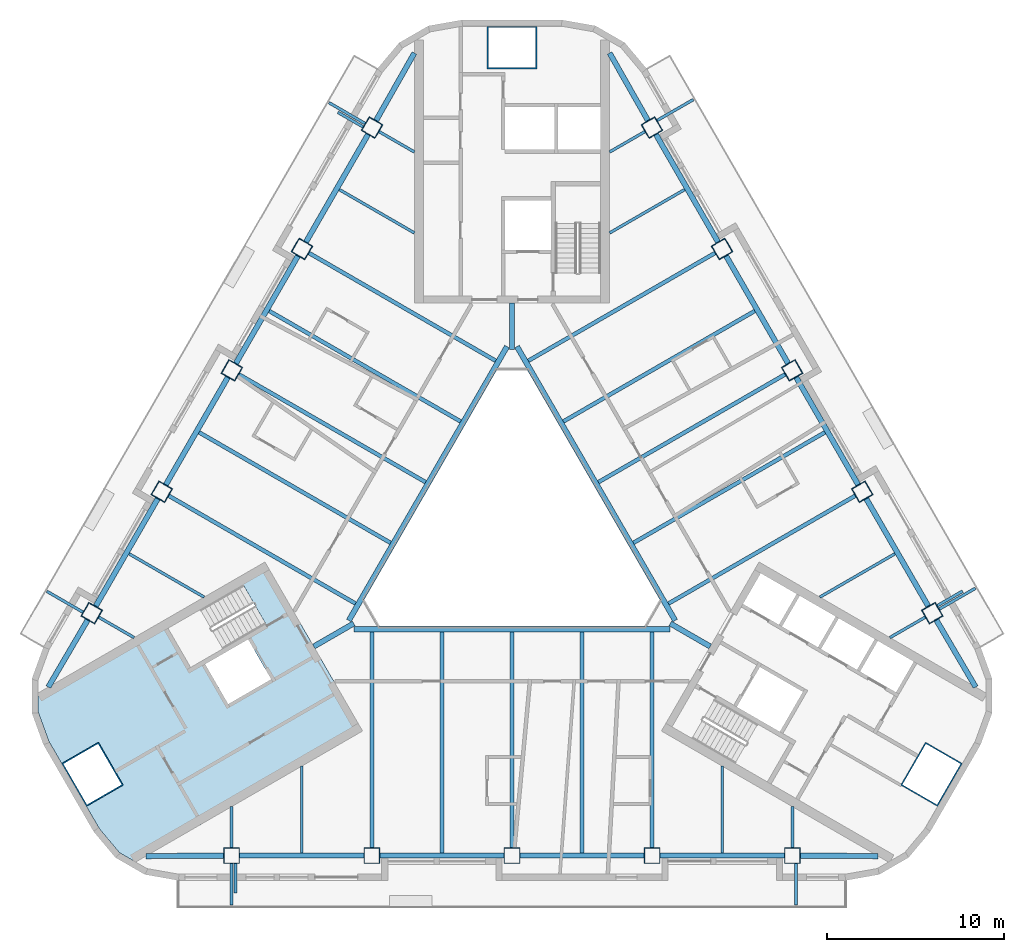
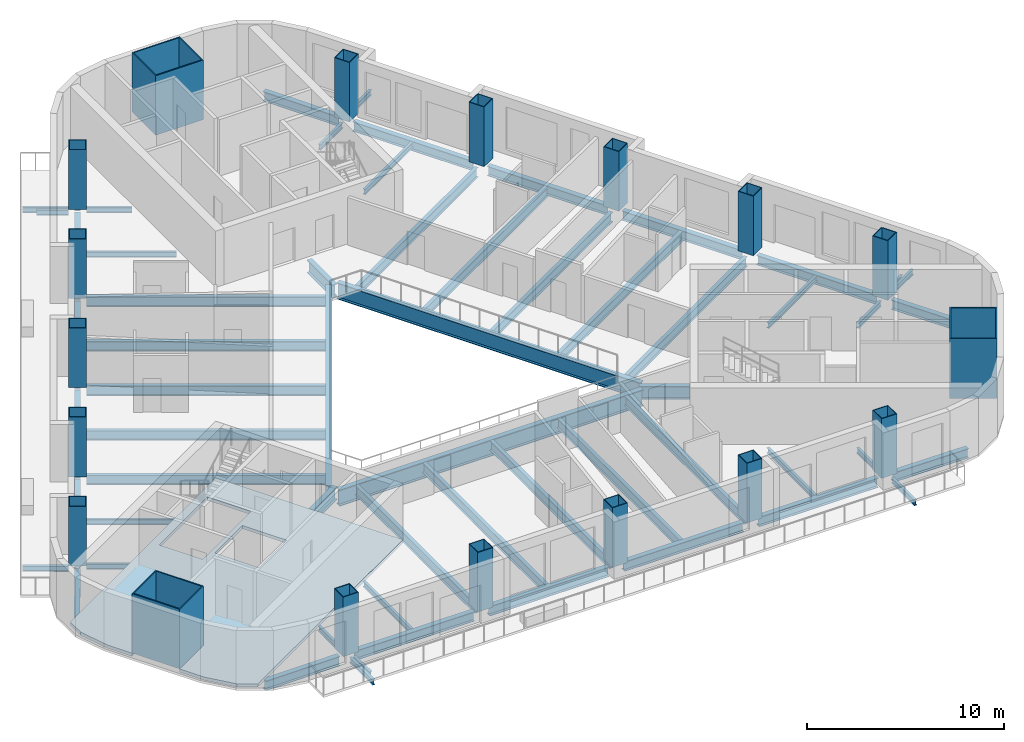
# One storey, part 1 of 13: 60 beams, 18 columns, 1 slab.
"""IFC4 building model written with IfcOpenShell, lengths in metres."""

from ifc_helpers import new_model, si_unit, direction, frame, origin, origin_2d, place, context, subcontext, project, spatial, polyline, rectangle, hollow_rectangle, i_section, outline, extrude, material, layer, layer_set, material_profile, profile_set, type_object, element, save


model = new_model("IFC4")

# Units and contexts
model_context = context("Model", 3, precision=1e-05, world=origin(), true_north=direction((0.0, 1.0)))
body_context = subcontext(model_context, "Body", "Model", "MODEL_VIEW")
ifc_project = project(units=[si_unit("LENGTHUNIT", "METRE"), si_unit("AREAUNIT", "SQUARE_METRE"), si_unit("VOLUMEUNIT", "CUBIC_METRE"), si_unit("PLANEANGLEUNIT", "RADIAN"), si_unit("MASSUNIT", "GRAM", prefix="KILO")], contexts=[model_context])

# Site, building, storey
site_placement = place(None, origin())
site = spatial("IfcSite", under=ifc_project, at=site_placement, CompositionType="ELEMENT")
building_placement = place(site_placement, origin())
building = spatial("IfcBuilding", under=site, at=building_placement, Name="Apuvela Tower Hotel", CompositionType="ELEMENT")
storey_placement = place(building_placement, frame((0.0, 0.0, 124.199951171875)))
storey = spatial("IfcBuildingStorey", under=building, at=storey_placement, Name="L29", CompositionType="ELEMENT", Elevation=124.199951171875)

# Columns
ifc_material_1 = material(Name="Steel S460", Category="steel")
ifc_material_profile_1 = material_profile(ifc_material_1, hollow_rectangle(XDim=2.800048828125, YDim=2.39990234375, WallThickness=0.070068359375, at=origin_2d()), Name="BOX 2800x2400x70")
ifc_material_2 = material(Name="Concrete C80/95", Category="concrete")
ifc_material_profile_2 = material_profile(ifc_material_2, rectangle(XDim=2.659912109375, YDim=2.260009765625, at=origin_2d()), Name="Concrete C80/95 infill")
ifc_profile_set_1 = profile_set([ifc_material_profile_1, ifc_material_profile_2], Name="Steel S460")
column_type_1 = type_object("IfcColumnType", Name="STR-MC mega column BOX 2800x2400x70", PredefinedType="COLUMN", material=ifc_profile_set_1)
for number, where, z_axis, x_axis, name in (
    (1, (0.0, 27.300048828125, 0.0), (0.0, 0.0, 1.0), (1.0, 0.0, 0.0), "Mega column MC2 N"),
    (2, (-23.642578125, -13.64990234375, 0.0), (0.0, 0.0, 1.0), (-0.5, 0.866025403784, 0.0), "Mega column MC2 SW"),
    (3, (23.642578125, -13.64990234375, 0.0), (0.0, 0.0, 1.0), (0.5, 0.866025403784, 0.0), "Mega column MC2 SE"),
):
    element("IfcColumn", number, at=place(storey_placement, frame(where, z_axis=z_axis, x_axis=x_axis)), inside=storey, type_object=column_type_1, Name=name, PredefinedType="COLUMN", context=body_context, shape_type="SweptSolid", body=[
        extrude(hollow_rectangle(XDim=2.800048828125, YDim=2.39990234375, WallThickness=0.070068359375, at=origin_2d()), origin(), (0.0, 0.0, 1.0), 3.699951171875),
    ])
ifc_material_profile_3 = material_profile(ifc_material_1, hollow_rectangle(XDim=0.89990234375, YDim=0.89990234375, WallThickness=0.0400390625, at=origin_2d()), Name="BOX 900x900x40")
ifc_material_profile_4 = material_profile(ifc_material_2, rectangle(XDim=0.820068359375, YDim=0.820068359375, at=origin_2d()), Name="Concrete C80/95 infill")
ifc_profile_set_2 = profile_set([ifc_material_profile_3, ifc_material_profile_4], Name="Steel S460")
column_type_2 = type_object("IfcColumnType", Name="STR-PC perimeter column BOX 900x900x40", PredefinedType="COLUMN", material=ifc_profile_set_2)
for number, where, z_axis, x_axis, name in (
    (4, (-15.800048828125, -18.22998046875, 0.0), (0.0, 0.0, 1.0), (-1.0, 0.0, 0.0), "Perimeter column C3 S1"),
    (5, (-7.89990234375, -18.22998046875, 0.0), (0.0, 0.0, 1.0), (-1.0, 0.0, 0.0), "Perimeter column C3 S2"),
    (6, (0.0, -18.22998046875, 0.0), (0.0, 0.0, 1.0), (-1.0, 0.0, 0.0), "Perimeter column C3 S3"),
    (7, (7.89990234375, -18.22998046875, 0.0), (0.0, 0.0, 1.0), (-1.0, 0.0, 0.0), "Perimeter column C3 S4"),
    (8, (15.800048828125, -18.22998046875, 0.0), (0.0, 0.0, 1.0), (-1.0, 0.0, 0.0), "Perimeter column C3 S5"),
    (9, (23.6875, -4.568115234375, 0.0), (0.0, 0.0, 1.0), (-0.5, 0.866025403784, 0.0), "Perimeter column C3 NE1"),
    (10, (19.737548828125, 2.2734375, 0.0), (0.0, 0.0, 1.0), (-0.5, 0.866025403784, 0.0), "Perimeter column C3 NE2"),
    (11, (15.78759765625, 9.114990234375, 0.0), (0.0, 0.0, 1.0), (-0.5, 0.866025403784, 0.0), "Perimeter column C3 NE3"),
    (12, (11.837646484375, 15.95654296875, 0.0), (0.0, 0.0, 1.0), (-0.5, 0.866025403784, 0.0), "Perimeter column C3 NE4"),
    (13, (7.8876953125, 22.798095703125, 0.0), (0.0, 0.0, 1.0), (-0.5, 0.866025403784, 0.0), "Perimeter column C3 NE5"),
    (14, (-7.8876953125, 22.798095703125, 0.0), (0.0, 0.0, 1.0), (0.5, 0.866025403784, 0.0), "Perimeter column C3 NW1"),
    (15, (-11.837646484375, 15.95654296875, 0.0), (0.0, 0.0, 1.0), (0.5, 0.866025403784, 0.0), "Perimeter column C3 NW2"),
    (16, (-15.78759765625, 9.114990234375, 0.0), (0.0, 0.0, 1.0), (0.5, 0.866025403784, 0.0), "Perimeter column C3 NW3"),
    (17, (-19.737548828125, 2.2734375, 0.0), (0.0, 0.0, 1.0), (0.5, 0.866025403784, 0.0), "Perimeter column C3 NW4"),
    (18, (-23.6875, -4.568115234375, 0.0), (0.0, 0.0, 1.0), (0.5, 0.866025403784, 0.0), "Perimeter column C3 NW5"),
):
    element("IfcColumn", number, at=place(storey_placement, frame(where, z_axis=z_axis, x_axis=x_axis)), inside=storey, type_object=column_type_2, Name=name, PredefinedType="COLUMN", context=body_context, shape_type="SweptSolid", body=[
        extrude(hollow_rectangle(XDim=0.89990234375, YDim=0.89990234375, WallThickness=0.0400390625, at=origin_2d()), origin(), (0.0, 0.0, 1.0), 3.699951171875),
    ])

# Beams
ifc_material_3 = material(Name="Steel S355", Category="steel")
ifc_material_profile_5 = material_profile(ifc_material_3, i_section(OverallWidth=0.159912109375, OverallDepth=0.330078125, WebThickness=0.007568359375, FlangeThickness=0.011474609375, at=origin_2d()), Name="IPE 330")
ifc_profile_set_3 = profile_set([ifc_material_profile_5], Name="Steel S355")
beam_type_1 = type_object("IfcBeamType", Name="ENV-BALCONY-BEAM-IPE330", PredefinedType="BEAM", material=ifc_profile_set_3)
beam_1_placement = place(storey_placement, frame((-15.800048828125, -18.679931640625, -0.31494140625), z_axis=(0.0, -1.0, 0.0), x_axis=(1.0, 0.0, 0.0)))
element("IfcBeam", 19, at=beam_1_placement, inside=storey, type_object=beam_type_1, Name="Balcony cantilever beam S1 L29", PredefinedType="BEAM", context=body_context, shape_type="SweptSolid", body=[
    extrude(i_section(OverallWidth=0.159912109375, OverallDepth=0.330078125, WebThickness=0.007568359375, FlangeThickness=0.011474609375, at=origin_2d()), origin(), (0.0, 0.0, 1.0), 2.35009765625),
])
beam_2_placement = place(storey_placement, frame((-15.580078125, -18.679931640625, -0.31494140625), z_axis=(0.0, -1.0, 0.0), x_axis=(1.0, 0.0, 0.0)))
element("IfcBeam", 20, at=beam_2_placement, inside=storey, type_object=beam_type_1, Name="Balcony cantilever beam S2 L29", PredefinedType="BEAM", context=body_context, shape_type="SweptSolid", body=[
    extrude(i_section(OverallWidth=0.159912109375, OverallDepth=0.330078125, WebThickness=0.007568359375, FlangeThickness=0.011474609375, at=origin_2d()), origin(), (0.0, 0.0, 1.0), 1.650146484375),
])
for number, where, z_axis, x_axis, name in (
    (21, (16.0, -18.679931640625, -0.31494140625), (0.0, -1.0, 0.0), (1.0, 0.0, 0.0), "Balcony cantilever beam S3 L29"),
    (22, (24.077392578125, -4.34326171875, -0.31494140625), (0.866016039709, 0.500016218704, 0.0), (-0.500016218704, 0.866016039709, 0.0), "Balcony cantilever beam NE1 L29"),
):
    element("IfcBeam", number, at=place(storey_placement, frame(where, z_axis=z_axis, x_axis=x_axis)), inside=storey, type_object=beam_type_1, Name=name, PredefinedType="BEAM", context=body_context, shape_type="SweptSolid", body=[
        extrude(i_section(OverallWidth=0.159912109375, OverallDepth=0.330078125, WebThickness=0.007568359375, FlangeThickness=0.011474609375, at=origin_2d()), origin(), (0.0, 0.0, 1.0), 2.35009765625),
    ])
beam_3_placement = place(storey_placement, frame((23.96728515625, -4.152587890625, -0.31494140625), z_axis=(0.866040211805, 0.499974350878, 0.0), x_axis=(-0.499974350878, 0.866040211805, 0.0)))
element("IfcBeam", 23, at=beam_3_placement, inside=storey, type_object=beam_type_1, Name="Balcony cantilever beam NE2 L29", PredefinedType="BEAM", context=body_context, shape_type="SweptSolid", body=[
    extrude(i_section(OverallWidth=0.159912109375, OverallDepth=0.330078125, WebThickness=0.007568359375, FlangeThickness=0.011474609375, at=origin_2d()), origin(), (0.0, 0.0, 1.0), 1.64990234375),
])
beam_4_placement = place(storey_placement, frame((8.177490234375, 23.1962890625, -0.31494140625), z_axis=(0.865990062348, 0.500061208168, 0.0), x_axis=(-0.500061208168, 0.865990062348, 0.0)))
element("IfcBeam", 24, at=beam_4_placement, inside=storey, type_object=beam_type_1, Name="Balcony cantilever beam NE3 L29", PredefinedType="BEAM", context=body_context, shape_type="SweptSolid", body=[
    extrude(i_section(OverallWidth=0.159912109375, OverallDepth=0.330078125, WebThickness=0.007568359375, FlangeThickness=0.011474609375, at=origin_2d()), origin(), (0.0, 0.0, 1.0), 2.349853515625),
])
beam_5_placement = place(storey_placement, frame((-8.27734375, 23.023193359375, -0.31494140625), z_axis=(-0.866016039709, 0.500016218704, 0.0), x_axis=(-0.500016218704, -0.866016039709, 0.0)))
element("IfcBeam", 25, at=beam_5_placement, inside=storey, type_object=beam_type_1, Name="Balcony cantilever beam NW1 L29", PredefinedType="BEAM", context=body_context, shape_type="SweptSolid", body=[
    extrude(i_section(OverallWidth=0.159912109375, OverallDepth=0.330078125, WebThickness=0.007568359375, FlangeThickness=0.011474609375, at=origin_2d()), origin(), (0.0, 0.0, 1.0), 2.35009765625),
])
beam_6_placement = place(storey_placement, frame((-8.387451171875, 22.832763671875, -0.31494140625), z_axis=(-0.866040211805, 0.499974350878, 0.0), x_axis=(-0.499974350878, -0.866040211805, 0.0)))
element("IfcBeam", 26, at=beam_6_placement, inside=storey, type_object=beam_type_1, Name="Balcony cantilever beam NW2 L29", PredefinedType="BEAM", context=body_context, shape_type="SweptSolid", body=[
    extrude(i_section(OverallWidth=0.159912109375, OverallDepth=0.330078125, WebThickness=0.007568359375, FlangeThickness=0.011474609375, at=origin_2d()), origin(), (0.0, 0.0, 1.0), 1.64990234375),
])
beam_7_placement = place(storey_placement, frame((-24.177490234375, -4.516357421875, -0.31494140625), z_axis=(-0.865990062348, 0.500061208168, 0.0), x_axis=(-0.500061208168, -0.865990062348, 0.0)))
element("IfcBeam", 27, at=beam_7_placement, inside=storey, type_object=beam_type_1, Name="Balcony cantilever beam NW3 L29", PredefinedType="BEAM", context=body_context, shape_type="SweptSolid", body=[
    extrude(i_section(OverallWidth=0.159912109375, OverallDepth=0.330078125, WebThickness=0.007568359375, FlangeThickness=0.011474609375, at=origin_2d()), origin(), (0.0, 0.0, 1.0), 2.349853515625),
])
ifc_material_profile_6 = material_profile(ifc_material_3, i_section(OverallWidth=0.159912109375, OverallDepth=0.330078125, WebThickness=0.007568359375, FlangeThickness=0.011474609375, at=origin_2d()), Name="IPE 330")
ifc_profile_set_4 = profile_set([ifc_material_profile_6], Name="Steel S355")
beam_type_2 = type_object("IfcBeamType", Name="STR-B floor beam IPE 330", PredefinedType="BEAM", material=ifc_profile_set_4)
beam_8_placement = place(storey_placement, frame((23.2978515625, -4.793212890625, -0.31494140625), z_axis=(-0.866000531106, -0.500043078269, 0.0), x_axis=(0.500043078269, -0.866000531106, 0.0)))
element("IfcBeam", 28, at=beam_8_placement, inside=storey, type_object=beam_type_2, Name="Floor beam B1 NE1", PredefinedType="BEAM", context=body_context, shape_type="SweptSolid", body=[
    extrude(i_section(OverallWidth=0.159912109375, OverallDepth=0.330078125, WebThickness=0.007568359375, FlangeThickness=0.011474609375, at=origin_2d()), origin(), (0.0, 0.0, 1.0), 2.306884765625),
])
for number, where, z_axis, x_axis, name in (
    (29, (21.582763671875, -1.222412109375, -0.31494140625), (-0.866015056278, -0.500017921979, 0.0), (0.500017921979, -0.866015056278, 0.0), "Floor beam B1 NE2"),
    (30, (9.732666015625, 19.302490234375, -0.31494140625), (-0.866015056278, -0.500017921979, 0.0), (0.500017921979, -0.866015056278, 0.0), "Floor beam B1 NE8"),
):
    element("IfcBeam", number, at=place(storey_placement, frame(where, z_axis=z_axis, x_axis=x_axis)), inside=storey, type_object=beam_type_2, Name=name, PredefinedType="BEAM", context=body_context, shape_type="SweptSolid", body=[
        extrude(i_section(OverallWidth=0.159912109375, OverallDepth=0.330078125, WebThickness=0.007568359375, FlangeThickness=0.011474609375, at=origin_2d()), origin(), (0.0, 0.0, 1.0), 4.887451171875),
    ])
for number, where, z_axis, x_axis, name in (
    (31, (7.497802734375, 22.5732421875, -0.31494140625), (-0.866000531106, -0.500043078269, 0.0), (0.500043078269, -0.866000531106, 0.0), "Floor beam B1 NE9"),
    (32, (-7.497802734375, 22.5732421875, -0.31494140625), (0.866000531106, -0.500043078269, 0.0), (0.500043078269, 0.866000531106, 0.0), "Floor beam B1 NW1"),
):
    element("IfcBeam", number, at=place(storey_placement, frame(where, z_axis=z_axis, x_axis=x_axis)), inside=storey, type_object=beam_type_2, Name=name, PredefinedType="BEAM", context=body_context, shape_type="SweptSolid", body=[
        extrude(i_section(OverallWidth=0.159912109375, OverallDepth=0.330078125, WebThickness=0.007568359375, FlangeThickness=0.011474609375, at=origin_2d()), origin(), (0.0, 0.0, 1.0), 2.306884765625),
    ])
for number, where, z_axis, x_axis, name in (
    (33, (-9.732666015625, 19.302490234375, -0.31494140625), (0.866015056278, -0.500017921979, 0.0), (0.500017921979, 0.866015056278, 0.0), "Floor beam B1 NW2"),
    (34, (-21.582763671875, -1.222412109375, -0.31494140625), (0.866015056278, -0.500017921979, 0.0), (0.500017921979, 0.866015056278, 0.0), "Floor beam B1 NW8"),
):
    element("IfcBeam", number, at=place(storey_placement, frame(where, z_axis=z_axis, x_axis=x_axis)), inside=storey, type_object=beam_type_2, Name=name, PredefinedType="BEAM", context=body_context, shape_type="SweptSolid", body=[
        extrude(i_section(OverallWidth=0.159912109375, OverallDepth=0.330078125, WebThickness=0.007568359375, FlangeThickness=0.011474609375, at=origin_2d()), origin(), (0.0, 0.0, 1.0), 4.887451171875),
    ])
beam_9_placement = place(storey_placement, frame((-23.2978515625, -4.793212890625, -0.31494140625), z_axis=(0.866000531106, -0.500043078269, 0.0), x_axis=(0.500043078269, 0.866000531106, 0.0)))
element("IfcBeam", 35, at=beam_9_placement, inside=storey, type_object=beam_type_2, Name="Floor beam B1 NW9", PredefinedType="BEAM", context=body_context, shape_type="SweptSolid", body=[
    extrude(i_section(OverallWidth=0.159912109375, OverallDepth=0.330078125, WebThickness=0.007568359375, FlangeThickness=0.011474609375, at=origin_2d()), origin(), (0.0, 0.0, 1.0), 2.306884765625),
])
beam_10_placement = place(storey_placement, frame((-15.800048828125, -17.780029296875, -0.31494140625), z_axis=(0.0, 1.0, 0.0), x_axis=(-1.0, 0.0, 0.0)))
element("IfcBeam", 36, at=beam_10_placement, inside=storey, type_object=beam_type_2, Name="Floor beam B1 S1", PredefinedType="BEAM", context=body_context, shape_type="SweptSolid", body=[
    extrude(i_section(OverallWidth=0.159912109375, OverallDepth=0.330078125, WebThickness=0.007568359375, FlangeThickness=0.011474609375, at=origin_2d()), origin(), (0.0, 0.0, 1.0), 2.30712890625),
])
for number, where, z_axis, x_axis, name in (
    (37, (-11.85009765625, -18.080078125, -0.31494140625), (0.0, 1.0, 0.0), (-1.0, 0.0, 0.0), "Floor beam B1 S2"),
    (38, (11.85009765625, -18.080078125, -0.31494140625), (0.0, 1.0, 0.0), (-1.0, 0.0, 0.0), "Floor beam B1 S8"),
):
    element("IfcBeam", number, at=place(storey_placement, frame(where, z_axis=z_axis, x_axis=x_axis)), inside=storey, type_object=beam_type_2, Name=name, PredefinedType="BEAM", context=body_context, shape_type="SweptSolid", body=[
        extrude(i_section(OverallWidth=0.159912109375, OverallDepth=0.330078125, WebThickness=0.007568359375, FlangeThickness=0.011474609375, at=origin_2d()), origin(), (0.0, 0.0, 1.0), 4.8876953125),
    ])
beam_11_placement = place(storey_placement, frame((15.800048828125, -17.780029296875, -0.31494140625), z_axis=(0.0, 1.0, 0.0), x_axis=(-1.0, 0.0, 0.0)))
element("IfcBeam", 39, at=beam_11_placement, inside=storey, type_object=beam_type_2, Name="Floor beam B1 S9", PredefinedType="BEAM", context=body_context, shape_type="SweptSolid", body=[
    extrude(i_section(OverallWidth=0.159912109375, OverallDepth=0.330078125, WebThickness=0.007568359375, FlangeThickness=0.011474609375, at=origin_2d()), origin(), (0.0, 0.0, 1.0), 2.30712890625),
])
ifc_material_profile_7 = material_profile(ifc_material_3, i_section(OverallWidth=0.219970703125, OverallDepth=0.60009765625, WebThickness=0.011962890625, FlangeThickness=0.01904296875, at=origin_2d()), Name="IPE 600")
ifc_profile_set_5 = profile_set([ifc_material_profile_7], Name="Steel S355")
beam_type_3 = type_object("IfcBeamType", Name="STR-B floor beam IPE 600", PredefinedType="BEAM", material=ifc_profile_set_5)
beam_12_placement = place(storey_placement, frame((19.347900390625, 2.04833984375, -0.449951171875), z_axis=(-0.866028751965, -0.499994200737, 0.0), x_axis=(0.499994200737, -0.866028751965, 0.0)))
element("IfcBeam", 40, at=beam_12_placement, inside=storey, type_object=beam_type_3, Name="Floor beam B8 NE3", PredefinedType="BEAM", context=body_context, shape_type="SweptSolid", body=[
    extrude(i_section(OverallWidth=0.219970703125, OverallDepth=0.60009765625, WebThickness=0.011962890625, FlangeThickness=0.01904296875, at=origin_2d()), origin(), (0.0, 0.0, 1.0), 12.157958984375),
])
beam_13_placement = place(storey_placement, frame((17.6328125, 5.619140625, -0.449951171875), z_axis=(-0.866027636335, -0.499996133089, 0.0), x_axis=(0.499996133089, -0.866027636335, 0.0)))
element("IfcBeam", 41, at=beam_13_placement, inside=storey, type_object=beam_type_3, Name="Floor beam B8 NE4", PredefinedType="BEAM", context=body_context, shape_type="SweptSolid", body=[
    extrude(i_section(OverallWidth=0.219970703125, OverallDepth=0.60009765625, WebThickness=0.011962890625, FlangeThickness=0.01904296875, at=origin_2d()), origin(), (0.0, 0.0, 1.0), 12.4580078125),
])
beam_14_placement = place(storey_placement, frame((15.39794921875, 8.889892578125, -0.449951171875), z_axis=(-0.866028751965, -0.499994200737, 0.0), x_axis=(0.499994200737, -0.866028751965, 0.0)))
element("IfcBeam", 42, at=beam_14_placement, inside=storey, type_object=beam_type_3, Name="Floor beam B8 NE5", PredefinedType="BEAM", context=body_context, shape_type="SweptSolid", body=[
    extrude(i_section(OverallWidth=0.219970703125, OverallDepth=0.60009765625, WebThickness=0.011962890625, FlangeThickness=0.01904296875, at=origin_2d()), origin(), (0.0, 0.0, 1.0), 12.157958984375),
])
beam_15_placement = place(storey_placement, frame((13.6826171875, 12.460693359375, -0.449951171875), z_axis=(-0.866022737053, -0.500004618886, 0.0), x_axis=(0.500004618886, -0.866022737053, 0.0)))
element("IfcBeam", 43, at=beam_15_placement, inside=storey, type_object=beam_type_3, Name="Floor beam B8 NE6", PredefinedType="BEAM", context=body_context, shape_type="SweptSolid", body=[
    extrude(i_section(OverallWidth=0.219970703125, OverallDepth=0.60009765625, WebThickness=0.011962890625, FlangeThickness=0.01904296875, at=origin_2d()), origin(), (0.0, 0.0, 1.0), 12.4580078125),
])
for number, where, z_axis, x_axis, name in (
    (44, (11.447998046875, 15.731689453125, -0.449951171875), (-0.866025076934, -0.500000566121, 0.0), (0.500000566121, -0.866025076934, 0.0), "Floor beam B8 NE7"),
    (45, (-11.447998046875, 15.731689453125, -0.449951171875), (0.866025076934, -0.500000566121, 0.0), (0.500000566121, 0.866025076934, 0.0), "Floor beam B8 NW3"),
):
    element("IfcBeam", number, at=place(storey_placement, frame(where, z_axis=z_axis, x_axis=x_axis)), inside=storey, type_object=beam_type_3, Name=name, PredefinedType="BEAM", context=body_context, shape_type="SweptSolid", body=[
        extrude(i_section(OverallWidth=0.219970703125, OverallDepth=0.60009765625, WebThickness=0.011962890625, FlangeThickness=0.01904296875, at=origin_2d()), origin(), (0.0, 0.0, 1.0), 12.158203125),
    ])
beam_16_placement = place(storey_placement, frame((-13.6826171875, 12.460693359375, -0.449951171875), z_axis=(0.866022737053, -0.500004618886, 0.0), x_axis=(0.500004618886, 0.866022737053, 0.0)))
element("IfcBeam", 46, at=beam_16_placement, inside=storey, type_object=beam_type_3, Name="Floor beam B8 NW4", PredefinedType="BEAM", context=body_context, shape_type="SweptSolid", body=[
    extrude(i_section(OverallWidth=0.219970703125, OverallDepth=0.60009765625, WebThickness=0.011962890625, FlangeThickness=0.01904296875, at=origin_2d()), origin(), (0.0, 0.0, 1.0), 12.4580078125),
])
beam_17_placement = place(storey_placement, frame((-15.39794921875, 8.889892578125, -0.449951171875), z_axis=(0.866028751965, -0.499994200737, 0.0), x_axis=(0.499994200737, 0.866028751965, 0.0)))
element("IfcBeam", 47, at=beam_17_placement, inside=storey, type_object=beam_type_3, Name="Floor beam B8 NW5", PredefinedType="BEAM", context=body_context, shape_type="SweptSolid", body=[
    extrude(i_section(OverallWidth=0.219970703125, OverallDepth=0.60009765625, WebThickness=0.011962890625, FlangeThickness=0.01904296875, at=origin_2d()), origin(), (0.0, 0.0, 1.0), 12.157958984375),
])
beam_18_placement = place(storey_placement, frame((-17.6328125, 5.619140625, -0.449951171875), z_axis=(0.866027636335, -0.499996133089, 0.0), x_axis=(0.499996133089, 0.866027636335, 0.0)))
element("IfcBeam", 48, at=beam_18_placement, inside=storey, type_object=beam_type_3, Name="Floor beam B8 NW6", PredefinedType="BEAM", context=body_context, shape_type="SweptSolid", body=[
    extrude(i_section(OverallWidth=0.219970703125, OverallDepth=0.60009765625, WebThickness=0.011962890625, FlangeThickness=0.01904296875, at=origin_2d()), origin(), (0.0, 0.0, 1.0), 12.4580078125),
])
for number, where, z_axis, x_axis, name in (
    (49, (-19.347900390625, 2.04833984375, -0.449951171875), (0.866028751965, -0.499994200737, 0.0), (0.499994200737, 0.866028751965, 0.0), "Floor beam B8 NW7"),
    (50, (-7.89990234375, -17.780029296875, -0.449951171875), (0.0, 1.0, 0.0), (-1.0, 0.0, 0.0), "Floor beam B8 S3"),
):
    element("IfcBeam", number, at=place(storey_placement, frame(where, z_axis=z_axis, x_axis=x_axis)), inside=storey, type_object=beam_type_3, Name=name, PredefinedType="BEAM", context=body_context, shape_type="SweptSolid", body=[
        extrude(i_section(OverallWidth=0.219970703125, OverallDepth=0.60009765625, WebThickness=0.011962890625, FlangeThickness=0.01904296875, at=origin_2d()), origin(), (0.0, 0.0, 1.0), 12.157958984375),
    ])
beam_19_placement = place(storey_placement, frame((-3.949951171875, -18.080078125, -0.449951171875), z_axis=(0.0, 1.0, 0.0), x_axis=(-1.0, 0.0, 0.0)))
element("IfcBeam", 51, at=beam_19_placement, inside=storey, type_object=beam_type_3, Name="Floor beam B8 S4", PredefinedType="BEAM", context=body_context, shape_type="SweptSolid", body=[
    extrude(i_section(OverallWidth=0.219970703125, OverallDepth=0.60009765625, WebThickness=0.011962890625, FlangeThickness=0.01904296875, at=origin_2d()), origin(), (0.0, 0.0, 1.0), 12.4580078125),
])
beam_20_placement = place(storey_placement, frame((0.0, -17.780029296875, -0.449951171875), z_axis=(0.0, 1.0, 0.0), x_axis=(-1.0, 0.0, 0.0)))
element("IfcBeam", 52, at=beam_20_placement, inside=storey, type_object=beam_type_3, Name="Floor beam B8 S5", PredefinedType="BEAM", context=body_context, shape_type="SweptSolid", body=[
    extrude(i_section(OverallWidth=0.219970703125, OverallDepth=0.60009765625, WebThickness=0.011962890625, FlangeThickness=0.01904296875, at=origin_2d()), origin(), (0.0, 0.0, 1.0), 12.157958984375),
])
beam_21_placement = place(storey_placement, frame((3.949951171875, -18.080078125, -0.449951171875), z_axis=(0.0, 1.0, 0.0), x_axis=(-1.0, 0.0, 0.0)))
element("IfcBeam", 53, at=beam_21_placement, inside=storey, type_object=beam_type_3, Name="Floor beam B8 S6", PredefinedType="BEAM", context=body_context, shape_type="SweptSolid", body=[
    extrude(i_section(OverallWidth=0.219970703125, OverallDepth=0.60009765625, WebThickness=0.011962890625, FlangeThickness=0.01904296875, at=origin_2d()), origin(), (0.0, 0.0, 1.0), 12.4580078125),
])
beam_22_placement = place(storey_placement, frame((7.89990234375, -17.780029296875, -0.449951171875), z_axis=(0.0, 1.0, 0.0), x_axis=(-1.0, 0.0, 0.0)))
element("IfcBeam", 54, at=beam_22_placement, inside=storey, type_object=beam_type_3, Name="Floor beam B8 S7", PredefinedType="BEAM", context=body_context, shape_type="SweptSolid", body=[
    extrude(i_section(OverallWidth=0.219970703125, OverallDepth=0.60009765625, WebThickness=0.011962890625, FlangeThickness=0.01904296875, at=origin_2d()), origin(), (0.0, 0.0, 1.0), 12.157958984375),
])
ifc_material_profile_8 = material_profile(ifc_material_3, i_section(OverallWidth=0.302001953125, OverallDepth=1.008056640625, WebThickness=0.02099609375, FlangeThickness=0.0400390625, at=origin_2d()), Name="HE 1000 M")
ifc_profile_set_6 = profile_set([ifc_material_profile_8], Name="Steel S355")
beam_type_4 = type_object("IfcBeamType", Name="STR-G atrium ring girder HE 1000 M", PredefinedType="BEAM", material=ifc_profile_set_6)
for number, where, z_axis, x_axis, name in (
    (55, (-0.28076171875, 10.455810546875, -0.654052734375), (-0.500000611842, -0.866025050537, 0.0), (0.866025050537, -0.500000611842, 0.0), "Atrium ring girder G1 N-SW"),
    (56, (-8.91455078125, -5.470947265625, -0.654052734375), (1.0, 0.0, 0.0), (0.0, 1.0, 0.0), "Atrium ring girder G1 SW-SE"),
    (57, (9.1953125, -4.984619140625, -0.654052734375), (-0.500000611842, 0.866025050537, 0.0), (-0.866025050537, -0.500000611842, 0.0), "Atrium ring girder G1 SE-N"),
):
    element("IfcBeam", number, at=place(storey_placement, frame(where, z_axis=z_axis, x_axis=x_axis)), inside=storey, type_object=beam_type_4, Name=name, PredefinedType="BEAM", context=body_context, shape_type="SweptSolid", body=[
        extrude(i_section(OverallWidth=0.302001953125, OverallDepth=1.008056640625, WebThickness=0.02099609375, FlangeThickness=0.0400390625, at=origin_2d()), origin(), (0.0, 0.0, 1.0), 17.8291015625),
    ])
ifc_material_profile_9 = material_profile(ifc_material_3, i_section(OverallWidth=0.300048828125, OverallDepth=0.800048828125, WebThickness=0.017578125, FlangeThickness=0.032958984375, at=origin_2d()), Name="HE 800 B")
ifc_profile_set_7 = profile_set([ifc_material_profile_9], Name="Steel S355")
beam_type_5 = type_object("IfcBeamType", Name="STR-GT core tie beam HE 800 B", PredefinedType="BEAM", material=ifc_profile_set_7)
for number, where, z_axis, x_axis, name in (
    (58, (0.0, 12.89990234375, -0.550048828125), (0.0, -1.0, 0.0), (1.0, 0.0, 0.0), "Core tie beam GT1 N"),
    (59, (-11.171630859375, -6.449951171875, -0.550048828125), (0.865997922154, 0.500047596559, 0.0), (-0.500047596559, 0.865997922154, 0.0), "Core tie beam GT1 SW"),
    (60, (11.171630859375, -6.449951171875, -0.550048828125), (-0.865997922154, 0.500047596559, 0.0), (-0.500047596559, -0.865997922154, 0.0), "Core tie beam GT1 SE"),
):
    element("IfcBeam", number, at=place(storey_placement, frame(where, z_axis=z_axis, x_axis=x_axis)), inside=storey, type_object=beam_type_5, Name=name, PredefinedType="BEAM", context=body_context, shape_type="SweptSolid", body=[
        extrude(i_section(OverallWidth=0.300048828125, OverallDepth=0.800048828125, WebThickness=0.017578125, FlangeThickness=0.032958984375, at=origin_2d()), origin(), (0.0, 0.0, 1.0), 2.599853515625),
    ])
ifc_material_profile_10 = material_profile(ifc_material_3, i_section(OverallWidth=0.300048828125, OverallDepth=0.590087890625, WebThickness=0.012939453125, FlangeThickness=0.02490234375, at=origin_2d()), Name="HE 600 A")
ifc_profile_set_8 = profile_set([ifc_material_profile_10], Name="Steel S355")
beam_type_6 = type_object("IfcBeamType", Name="STR-SB spandrel beam HE 600 A", PredefinedType="SPANDREL", material=ifc_profile_set_8)
for number, where, z_axis, x_axis, name in (
    (61, (-15.35009765625, -18.22998046875, -0.445068359375), (1.0, 0.0, 0.0), (0.0, 1.0, 0.0), "Spandrel beam SB2 S1"),
    (62, (-7.449951171875, -18.22998046875, -0.445068359375), (1.0, 0.0, 0.0), (0.0, 1.0, 0.0), "Spandrel beam SB2 S2"),
    (63, (0.449951171875, -18.22998046875, -0.445068359375), (1.0, 0.0, 0.0), (0.0, 1.0, 0.0), "Spandrel beam SB2 S3"),
    (64, (8.35009765625, -18.22998046875, -0.445068359375), (1.0, 0.0, 0.0), (0.0, 1.0, 0.0), "Spandrel beam SB2 S4"),
    (65, (23.462646484375, -4.178466796875, -0.445068359375), (-0.499995173006, 0.866028190633, 0.0), (-0.866028190633, -0.499995173006, 0.0), "Spandrel beam SB2 NE1"),
    (66, (19.5126953125, 2.6630859375, -0.445068359375), (-0.499995173006, 0.866028190633, 0.0), (-0.866028190633, -0.499995173006, 0.0), "Spandrel beam SB2 NE2"),
    (67, (15.5625, 9.504638671875, -0.445068359375), (-0.499995173006, 0.866028190633, 0.0), (-0.866028190633, -0.499995173006, 0.0), "Spandrel beam SB2 NE3"),
    (68, (11.612548828125, 16.34619140625, -0.445068359375), (-0.499995173006, 0.866028190633, 0.0), (-0.866028190633, -0.499995173006, 0.0), "Spandrel beam SB2 NE4"),
    (69, (-8.112548828125, 22.408447265625, -0.445068359375), (-0.499995173006, -0.866028190633, 0.0), (0.866028190633, -0.499995173006, 0.0), "Spandrel beam SB2 NW1"),
    (70, (-12.0625, 15.56689453125, -0.445068359375), (-0.499995173006, -0.866028190633, 0.0), (0.866028190633, -0.499995173006, 0.0), "Spandrel beam SB2 NW2"),
    (71, (-16.0126953125, 8.725341796875, -0.445068359375), (-0.499995173006, -0.866028190633, 0.0), (0.866028190633, -0.499995173006, 0.0), "Spandrel beam SB2 NW3"),
    (72, (-19.962646484375, 1.8837890625, -0.445068359375), (-0.499995173006, -0.866028190633, 0.0), (0.866028190633, -0.499995173006, 0.0), "Spandrel beam SB2 NW4"),
):
    element("IfcBeam", number, at=place(storey_placement, frame(where, z_axis=z_axis, x_axis=x_axis)), inside=storey, type_object=beam_type_6, Name=name, PredefinedType="SPANDREL", context=body_context, shape_type="SweptSolid", body=[
        extrude(i_section(OverallWidth=0.300048828125, OverallDepth=0.590087890625, WebThickness=0.012939453125, FlangeThickness=0.02490234375, at=origin_2d()), origin(), (0.0, 0.0, 1.0), 7.0),
    ])
for number, where, z_axis, x_axis, name in (
    (73, (-16.25, -18.233154296875, -0.445068359375), (-0.999976528586, -0.006851443461, 0.0), (0.006851443461, -0.999976528586, 0.0), "Spandrel beam SB2 S1-SW"),
    (74, (16.25, -18.233154296875, -0.445068359375), (0.999976528586, -0.006851443461, 0.0), (0.006851443461, 0.999976528586, 0.0), "Spandrel beam SB2 S5-SE"),
    (75, (23.915283203125, -4.956298828125, -0.445068359375), (0.505951068275, -0.862562181244, 0.0), (0.862562181244, 0.505951068275, 0.0), "Spandrel beam SB2 NE1-SE"),
    (76, (7.665283203125, 23.189453125, -0.445068359375), (-0.494043860968, 0.869436980718, 0.0), (-0.869436980718, -0.494043860968, 0.0), "Spandrel beam SB2 NE5-N"),
    (77, (-7.665283203125, 23.189453125, -0.445068359375), (0.494043860968, 0.869436980718, 0.0), (-0.869436980718, 0.494043860968, 0.0), "Spandrel beam SB2 NW1-N"),
    (78, (-23.915283203125, -4.956298828125, -0.445068359375), (-0.505951068275, -0.862562181244, 0.0), (0.862562181244, -0.505951068275, 0.0), "Spandrel beam SB2 NW5-SW"),
):
    element("IfcBeam", number, at=place(storey_placement, frame(where, z_axis=z_axis, x_axis=x_axis)), inside=storey, type_object=beam_type_6, Name=name, PredefinedType="SPANDREL", context=body_context, shape_type="SweptSolid", body=[
        extrude(i_section(OverallWidth=0.300048828125, OverallDepth=0.590087890625, WebThickness=0.012939453125, FlangeThickness=0.02490234375, at=origin_2d()), origin(), (0.0, 0.0, 1.0), 4.3828125),
    ])

# Slab
ifc_material_4 = material(Name="Concrete C50/60", Category="concrete")
ifc_layer = layer(ifc_material_4, 0.199951171875)
ifc_layer_set = layer_set([ifc_layer], Name="COR-FLOOR-200")
slab_type = type_object("IfcSlabType", Name="COR-FLOOR-200", PredefinedType="FLOOR", material=ifc_layer_set)
slab_placement = place(storey_placement, frame((0.0, 0.0, -0.199951171875)))
element("IfcSlab", 79, at=slab_placement, inside=storey, type_object=slab_type, Name="Core floor SW", PredefinedType="FLOOR", context=body_context, shape_type="SweptSolid", body=[
    extrude(outline(polyline([(-26.711181640625, -9.07080078125), (-26.711181640625, -10.123291015625), (-26.109375, -11.77734375), (-25.381591796875, -13.03759765625), (-23.30322265625, -11.837646484375), (-21.9033203125, -14.262451171875), (-23.981689453125, -15.46240234375), (-23.254150390625, -16.72265625), (-22.122802734375, -18.071044921875), (-21.211181640625, -18.59716796875), (-8.421630859375, -11.213134765625), (-13.921630859375, -1.68701171875), (-26.711181640625, -9.07080078125)]), holes=[polyline([(-13.874267578125, -5.18115234375), (-18.112548828125, -7.628173828125), (-19.387451171875, -5.419921875), (-15.149169921875, -2.972900390625), (-13.874267578125, -5.18115234375)]), polyline([(-13.56982421875, -8.29638671875), (-15.99462890625, -9.6962890625), (-17.294677734375, -7.444580078125), (-14.869873046875, -6.044677734375), (-13.56982421875, -8.29638671875)])]), origin(), (0.0, 0.0, 1.0), 0.199951171875),
])

save(model, "model.ifc")
